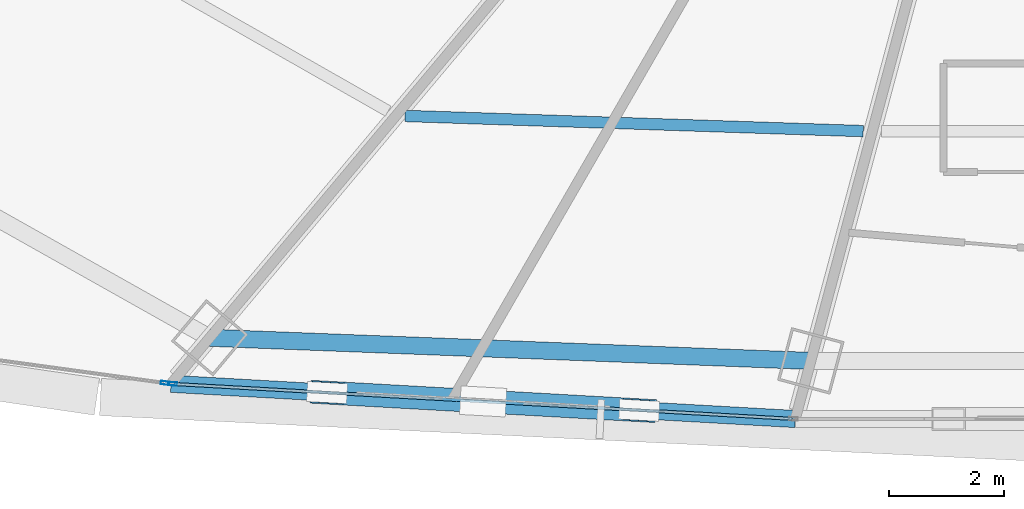
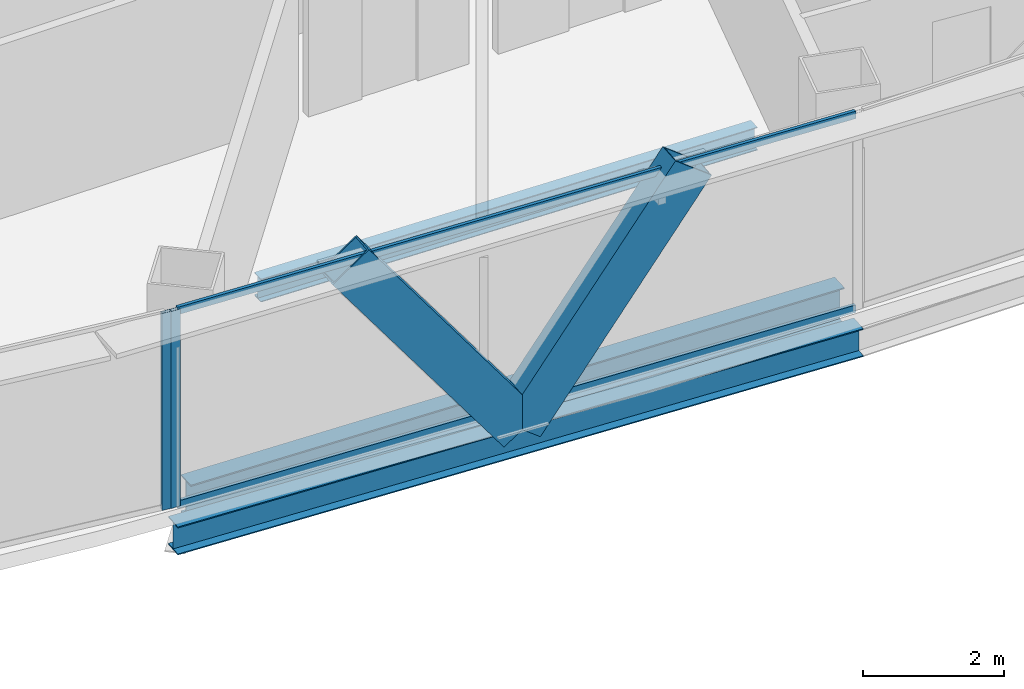
# One storey, part 6 of 39: 6 members, 3 beams, 2 elements without a shape of their own.
"""IFC4 building model written with IfcOpenShell, lengths in metres."""

from ifc_helpers import new_model, si_unit, direction, frame, origin, origin_2d, place, context, subcontext, project, spatial, hollow_rectangle, i_section, extrude, source, transform, mapped, material, layer, layer_set, material_profile, profile_set, type_object, element, aggregate, save


model = new_model("IFC4")

# Units and contexts
model_context = context("Model", 3, precision=1e-05, world=origin(), true_north=direction((0.0, 1.0)))
body_context = subcontext(model_context, "Body", "Model", "MODEL_VIEW")
ifc_project = project(units=[si_unit("LENGTHUNIT", "METRE"), si_unit("AREAUNIT", "SQUARE_METRE"), si_unit("VOLUMEUNIT", "CUBIC_METRE"), si_unit("PLANEANGLEUNIT", "RADIAN"), si_unit("MASSUNIT", "GRAM", prefix="KILO"), si_unit("THERMODYNAMICTEMPERATUREUNIT", "KELVIN"), si_unit("POWERUNIT", "WATT")], contexts=[model_context])

# Site, building, storey
site_placement = place(None, origin())
site = spatial("IfcSite", under=ifc_project, at=site_placement, CompositionType="ELEMENT")
building_placement = place(site_placement, origin())
building = spatial("IfcBuilding", under=site, at=building_placement, Name="Yunzhuo Pagoda Commons", CompositionType="ELEMENT")
storey_placement = place(building_placement, frame((0.0, 0.0, 166.6298828125)))
storey = spatial("IfcBuildingStorey", under=building, at=storey_placement, Name="L42", CompositionType="ELEMENT", Elevation=166.6298828125)

# Beams
ifc_material_1 = material(Name="Structural steel Q355B", Category="steel")
ifc_material_profile_1 = material_profile(ifc_material_1, i_section(OverallWidth=0.300048828125, OverallDepth=0.64990234375, WebThickness=0.012939453125, FlangeThickness=0.02197265625, at=origin_2d()), Name="Structural steel Q355B")
ifc_profile_set_1 = profile_set([ifc_material_profile_1], Name="Structural steel Q355B")
beam_type_1 = type_object("IfcBeamType", Name="B-RG2 Beam HN 650x300x13x22", PredefinedType="BEAM", material=ifc_profile_set_1)
shared_shape_1 = source(origin(), body_context, "Body", "SweptSolid", [
    extrude(i_section(OverallWidth=0.300048828125, OverallDepth=0.64990234375, WebThickness=0.012939453125, FlangeThickness=0.02197265625, at=origin_2d()), origin(), (0.0, 0.0, 1.0), 10.5078125),
])
beam_1_placement = place(storey_placement, frame((32.414794921875, 15.126220703125, -0.5849609375), z_axis=(0.999258632812, -0.03849915259, 0.0), x_axis=(0.03849915259, 0.999258632812, 0.0)))
element("IfcBeam", 1, at=beam_1_placement, inside=storey, type_object=beam_type_1, Name="L42 column-ring beam 1", PredefinedType="BEAM", context=body_context, shape_type="MappedRepresentation", body=[
    mapped(shared_shape_1, transform((0.0, 0.0, 0.0), scale=1.0)),
])
ifc_material_profile_2 = material_profile(ifc_material_1, i_section(OverallWidth=0.199951171875, OverallDepth=0.39990234375, WebThickness=0.008056640625, FlangeThickness=0.012939453125, at=origin_2d()), Name="Structural steel Q355B")
ifc_profile_set_2 = profile_set([ifc_material_profile_2], Name="Structural steel Q355B")
beam_type_2 = type_object("IfcBeamType", Name="B-JS1 Joist HN 400x200x8x13", PredefinedType="JOIST", material=ifc_profile_set_2)
shared_shape_2 = source(origin(), body_context, "Body", "SweptSolid", [
    extrude(i_section(OverallWidth=0.199951171875, OverallDepth=0.39990234375, WebThickness=0.008056640625, FlangeThickness=0.012939453125, at=origin_2d()), origin(), (0.0, 0.0, 1.0), 8.00537109375),
])
beam_2_placement = place(storey_placement, frame((35.8291015625, 19.00048828125, -0.4599609375), z_axis=(0.999453403952, -0.033058937199, 0.0), x_axis=(0.033058937199, 0.999453403952, 0.0)))
element("IfcBeam", 2, at=beam_2_placement, inside=storey, type_object=beam_type_2, Name="L42 composite ring joist 2.1", PredefinedType="JOIST", context=body_context, shape_type="MappedRepresentation", body=[
    mapped(shared_shape_2, transform((0.0, 0.0, 0.0), scale=1.0)),
])
ifc_material_profile_3 = material_profile(ifc_material_1, i_section(OverallWidth=0.300048828125, OverallDepth=0.488037109375, WebThickness=0.010986328125, FlangeThickness=0.01806640625, at=origin_2d()), Name="Structural steel Q355B")
ifc_profile_set_3 = profile_set([ifc_material_profile_3], Name="Structural steel Q355B")
beam_type_3 = type_object("IfcBeamType", Name="B-SP1 Beam HM 488x300x11x18", PredefinedType="BEAM", material=ifc_profile_set_3)
shared_shape_3 = source(origin(), body_context, "Body", "SweptSolid", [
    extrude(i_section(OverallWidth=0.300048828125, OverallDepth=0.488037109375, WebThickness=0.010986328125, FlangeThickness=0.01806640625, at=origin_2d()), origin(), (0.0, 0.0, 1.0), 10.920166015625),
])
beam_3_placement = place(storey_placement, frame((31.739990234375, 14.322265625, -0.50390625), z_axis=(0.998412941388, -0.056316946557, 0.0), x_axis=(0.056316946557, 0.998412941388, 0.0)))
element("IfcBeam", 3, at=beam_3_placement, inside=storey, type_object=beam_type_3, Name="L42 facade edge spandrel beam F1.1", PredefinedType="BEAM", context=body_context, shape_type="MappedRepresentation", body=[
    mapped(shared_shape_3, transform((0.0, 0.0, 0.0), scale=1.0)),
])

# Members
ifc_material_profile_4 = material_profile(ifc_material_1, hollow_rectangle(XDim=0.39990234375, YDim=0.719970703125, WallThickness=0.02392578125, at=origin_2d()), Name="Structural steel Q355B")
ifc_profile_set_4 = profile_set([ifc_material_profile_4], Name="Structural steel Q355B")
member_type_1 = type_object("IfcMemberType", Name="M-DL2 Brace BOX 720x400x24", PredefinedType="BRACE", material=ifc_profile_set_4)
shared_shape_4 = source(origin(), body_context, "Body", "SweptSolid", [
    extrude(hollow_rectangle(XDim=0.39990234375, YDim=0.719970703125, WallThickness=0.02392578125, at=origin_2d()), origin(), (0.0, 0.0, 1.0), 4.58203125),
])
for number, where, z_axis, x_axis, name in (
    (4, (37.19140625, 14.0146484375, -0.259765625), (-0.594886809309, 0.033513999378, 0.803110512916), (-0.056247577234, -0.998416851849, 0.0), "L42 facade diamond brace F1.1L"),
    (5, (37.19140625, 14.0146484375, -0.259765625), (0.594851318924, -0.033568284748, 0.803134533334), (0.05634174772, 0.998411542133, 0.0), "L42 facade diamond brace F1.1R"),
):
    element("IfcMember", number, at=place(storey_placement, frame(where, z_axis=z_axis, x_axis=x_axis)), inside=storey, type_object=member_type_1, Name=name, PredefinedType="BRACE", context=body_context, shape_type="MappedRepresentation", body=[
        mapped(shared_shape_4, transform((0.0, 0.0, 0.0), scale=1.0)),
    ])

# Curtain wall, member
ifc_material_2 = material(Name="Anodized aluminium 6063-T6", Category="aluminium")
ifc_layer = layer(ifc_material_2, 0.14990234375)
ifc_layer_set = layer_set([ifc_layer], Name="Anodized aluminium 6063-T6")
curtain_wall_type = type_object("IfcCurtainWallType", Name="CW-MID Mid-Zone Ribbon Curtain Wall", PredefinedType="NOTDEFINED", material=ifc_layer_set)
curtain_wall_1_placement = place(storey_placement, origin())
curtain_wall_1 = element("IfcCurtainWall", 6, at=curtain_wall_1_placement, inside=storey, type_object=curtain_wall_type, Name="L42 curtain wall CW-L42-F1B2", PredefinedType="NOTDEFINED")
ifc_material_profile_5 = material_profile(ifc_material_2, hollow_rectangle(XDim=0.06005859375, YDim=0.14990234375, WallThickness=0.00390625, at=origin_2d()), Name="Anodized aluminium 6063-T6")
ifc_profile_set_5 = profile_set([ifc_material_profile_5], Name="Anodized aluminium 6063-T6")
member_type_2 = type_object("IfcMemberType", Name="CW-MID-M Mullion RHS 150x60x4", PredefinedType="MULLION", material=ifc_profile_set_5)
shared_shape_5 = source(origin(), body_context, "Body", "SweptSolid", [
    extrude(hollow_rectangle(XDim=0.06005859375, YDim=0.14990234375, WallThickness=0.00390625, at=origin_2d()), origin(), (0.0, 0.0, 1.0), 3.420166015625),
])
member_1_placement = place(storey_placement, frame((31.769775390625, 14.320556640625, 0.0), z_axis=(0.0, 0.0, 1.0), x_axis=(0.056298716731, 0.998413969501, 0.0)))
member_1 = element("IfcMember", 7, at=member_1_placement, type_object=member_type_2, Name="CW mullion 1", PredefinedType="MULLION", context=body_context, shape_type="MappedRepresentation", body=[
    mapped(shared_shape_5, transform((0.0, 0.0, 0.0), scale=1.0)),
])

curtain_wall_2_placement = place(storey_placement, origin())
curtain_wall_2 = element("IfcCurtainWall", 8, at=curtain_wall_2_placement, inside=storey, type_object=curtain_wall_type, Name="L42 curtain wall CW-L42-F1B1", PredefinedType="NOTDEFINED")
member_2_placement = place(storey_placement, frame((31.635986328125, 14.336181640625, 0.0), z_axis=(0.0, 0.0, 1.0), x_axis=(0.135767265879, 0.990740757976, 0.0)))
member_2 = element("IfcMember", 9, at=member_2_placement, type_object=member_type_2, Name="CW mullion 2", PredefinedType="MULLION", context=body_context, shape_type="MappedRepresentation", body=[
    mapped(shared_shape_5, transform((0.0, 0.0, 0.0), scale=1.0)),
])
aggregate(curtain_wall_2, [member_2])

# Member
ifc_material_profile_6 = material_profile(ifc_material_2, hollow_rectangle(XDim=0.054931640625, YDim=0.1298828125, WallThickness=0.00341796875, at=origin_2d()), Name="Anodized aluminium 6063-T6")
ifc_profile_set_6 = profile_set([ifc_material_profile_6], Name="Anodized aluminium 6063-T6")
member_type_3 = type_object("IfcMemberType", Name="CW-MID-T Transom RHS 130x55x3.5", PredefinedType="USERDEFINED", material=ifc_profile_set_6)
shared_shape_6 = source(origin(), body_context, "Body", "SweptSolid", [
    extrude(hollow_rectangle(XDim=0.054931640625, YDim=0.1298828125, WallThickness=0.00341796875, at=origin_2d()), origin(), (0.0, 0.0, 1.0), 10.80029296875),
])
member_3_placement = place(storey_placement, frame((31.7998046875, 14.31884765625, 0.027587890625), z_axis=(0.998413399978, -0.05630881587, 0.0), x_axis=(0.05630881587, 0.998413399978, 0.0)))
member_3 = element("IfcMember", 10, at=member_3_placement, type_object=member_type_3, Name="CW transom 1.1", ObjectType="TRANSOM", PredefinedType="USERDEFINED", context=body_context, shape_type="MappedRepresentation", body=[
    mapped(shared_shape_6, transform((0.0, 0.0, 0.0), scale=1.0)),
])

member_4_placement = place(storey_placement, frame((31.7998046875, 14.31884765625, 3.392578125), z_axis=(0.998413399978, -0.05630881587, 0.0), x_axis=(0.05630881587, 0.998413399978, 0.0)))
member_4 = element("IfcMember", 11, at=member_4_placement, type_object=member_type_3, Name="CW transom 1.2", ObjectType="TRANSOM", PredefinedType="USERDEFINED", context=body_context, shape_type="MappedRepresentation", body=[
    mapped(shared_shape_6, transform((0.0, 0.0, 0.0), scale=1.0)),
])

aggregate(curtain_wall_1, [member_1, member_3, member_4])

save(model, "model.ifc")
